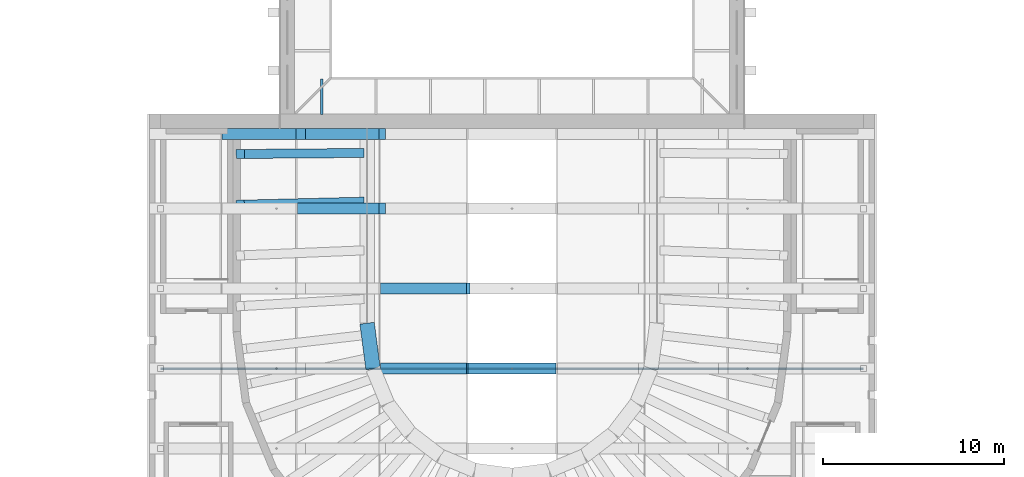
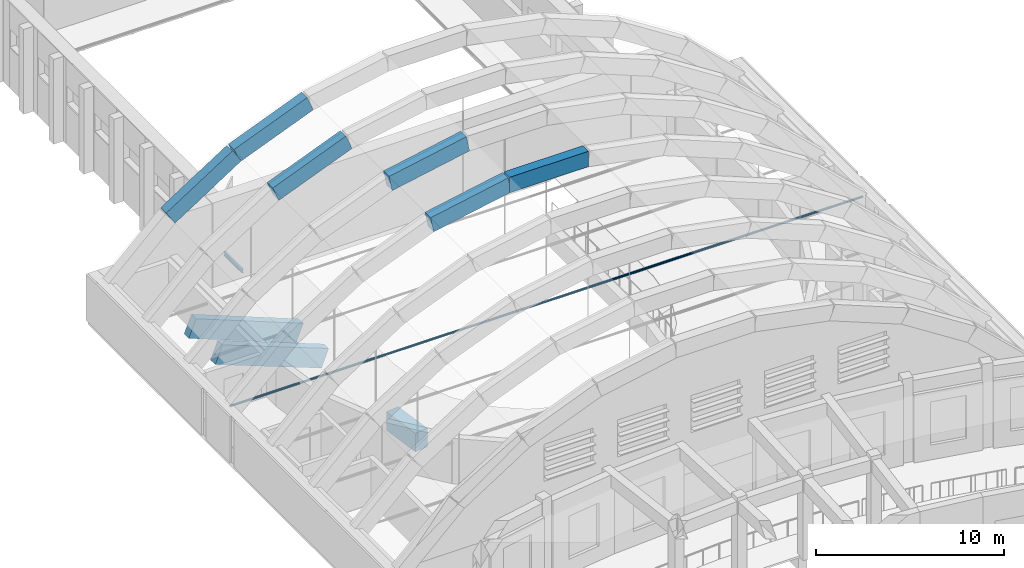
# One storey, part 28 of 94: 9 beams, 2 members.
"""IFC4 building model written with IfcOpenShell, lengths in metres."""

from ifc_helpers import new_model, si_unit, direction, frame, origin, origin_2d, place, context, subcontext, project, spatial, rectangle, hollow_circle, i_section, extrude, material, material_profile, profile_set, type_object, element, save


model = new_model("IFC4")

# Units and contexts
model_context = context("Model", 3, precision=1e-05, world=origin(), true_north=direction((0.0, 1.0)))
body_context = subcontext(model_context, "Body", "Model", "MODEL_VIEW")
ifc_project = project(units=[si_unit("LENGTHUNIT", "METRE"), si_unit("AREAUNIT", "SQUARE_METRE"), si_unit("VOLUMEUNIT", "CUBIC_METRE"), si_unit("PLANEANGLEUNIT", "RADIAN"), si_unit("MASSUNIT", "GRAM", prefix="KILO")], contexts=[model_context])

# Site, building, storey
site_placement = place(None, origin())
site = spatial("IfcSite", under=ifc_project, at=site_placement, CompositionType="ELEMENT")
building_placement = place(site_placement, origin())
building = spatial("IfcBuilding", under=site, at=building_placement, Name="Lunette Opera House", CompositionType="ELEMENT")
storey_placement = place(building_placement, frame((0.0, 0.0, 22.5)))
storey = spatial("IfcBuildingStorey", under=building, at=storey_placement, Name="L04", CompositionType="ELEMENT", Elevation=22.5)

# Beams
ifc_material_1 = material(Name="Concrete C40/50", Category="concrete")
ifc_material_profile_1 = material_profile(ifc_material_1, rectangle(XDim=0.60009765625, YDim=1.0, at=origin_2d()), Name="ARCH BEAM 600X1000")
ifc_profile_set_1 = profile_set([ifc_material_profile_1], Name="Concrete C40/50")
beam_type_1 = type_object("IfcBeamType", Name="ARCH BEAM 600X1000", PredefinedType="BEAM", material=ifc_profile_set_1)
beam_1_placement = place(storey_placement, frame((88.8310546875, 81.95703125, 10.346923828125), z_axis=(0.981908402453, 0.0, 0.189356513466), x_axis=(0.0, 1.0, 0.0)))
element("IfcBeam", 1, at=beam_1_placement, inside=storey, type_object=beam_type_1, Name="beam-AU-L04-EA5-4", PredefinedType="BEAM", context=body_context, shape_type="SweptSolid", body=[
    extrude(rectangle(XDim=0.60009765625, YDim=1.0, at=origin_2d()), origin(), (0.0, 0.0, 1.0), 4.83740234375),
])
beam_2_placement = place(storey_placement, frame((93.5810546875, 81.95703125, 11.262939453125), z_axis=(1.0, 0.0, 0.0), x_axis=(0.0, 1.0, 0.0)))
element("IfcBeam", 2, at=beam_2_placement, inside=storey, type_object=beam_type_1, Name="beam-AU-L04-EA5-5", PredefinedType="BEAM", context=body_context, shape_type="SweptSolid", body=[
    extrude(rectangle(XDim=0.60009765625, YDim=1.0, at=origin_2d()), origin(), (0.0, 0.0, 1.0), 4.837890625),
])
beam_3_placement = place(storey_placement, frame((88.8310546875, 86.37109375, 10.346923828125), z_axis=(0.981908402453, 0.0, 0.189356513466), x_axis=(0.0, 1.0, 0.0)))
element("IfcBeam", 3, at=beam_3_placement, inside=storey, type_object=beam_type_1, Name="beam-AU-L04-EA6-4", PredefinedType="BEAM", context=body_context, shape_type="SweptSolid", body=[
    extrude(rectangle(XDim=0.60009765625, YDim=1.0, at=origin_2d()), origin(), (0.0, 0.0, 1.0), 4.83740234375),
])
beam_4_placement = place(storey_placement, frame((84.340087890625, 90.785888671875, 8.548095703125), z_axis=(0.92830257193, 0.0, 0.371825678172), x_axis=(0.0, 1.0, 0.0)))
element("IfcBeam", 4, at=beam_4_placement, inside=storey, type_object=beam_type_1, Name="beam-AU-L04-EA7-3", PredefinedType="BEAM", context=body_context, shape_type="SweptSolid", body=[
    extrude(rectangle(XDim=0.60009765625, YDim=1.0, at=origin_2d()), origin(), (0.0, 0.0, 1.0), 4.837890625),
])
beam_5_placement = place(storey_placement, frame((80.27001953125, 94.89990234375, 5.931884765625), z_axis=(0.84120306647, 0.0, 0.54071933659), x_axis=(0.0, 1.0, 0.0)))
element("IfcBeam", 5, at=beam_5_placement, inside=storey, type_object=beam_type_1, Name="beam-AU-L04-EA8-2", PredefinedType="BEAM", context=body_context, shape_type="SweptSolid", body=[
    extrude(rectangle(XDim=0.60009765625, YDim=1.0, at=origin_2d()), origin(), (0.0, 0.0, 1.0), 4.83837890625),
])
beam_6_placement = place(storey_placement, frame((84.340087890625, 94.89990234375, 8.548095703125), z_axis=(0.92830257193, 0.0, 0.371825678172), x_axis=(0.0, 1.0, 0.0)))
element("IfcBeam", 6, at=beam_6_placement, inside=storey, type_object=beam_type_1, Name="beam-AU-L04-EA8-3", PredefinedType="BEAM", context=body_context, shape_type="SweptSolid", body=[
    extrude(rectangle(XDim=0.60009765625, YDim=1.0, at=origin_2d()), origin(), (0.0, 0.0, 1.0), 4.837890625),
])

# Members
ifc_material_2 = material(Name="Steel S355", Category="steel")
ifc_material_profile_2 = material_profile(ifc_material_2, i_section(OverallWidth=0.1201171875, OverallDepth=0.239990234375, WebThickness=0.006103515625, FlangeThickness=0.009765625, FilletRadius=0.014892578125, at=origin_2d()), Name="IPE 240")
ifc_profile_set_2 = profile_set([ifc_material_profile_2], Name="Steel S355")
member_type_1 = type_object("IfcMemberType", Name="BRACKET IPE 240", PredefinedType="MEMBER", material=ifc_profile_set_2)
member_1_placement = place(storey_placement, frame((85.5, 95.989990234375, -0.179931640625), z_axis=(0.0, 1.0, 0.0), x_axis=(-1.0, 0.0, 0.0)))
element("IfcMember", 7, at=member_1_placement, inside=storey, type_object=member_type_1, Name="mem-ST-L04-FG3-BKS855-959", PredefinedType="MEMBER", context=body_context, shape_type="SweptSolid", body=[
    extrude(i_section(OverallWidth=0.1201171875, OverallDepth=0.239990234375, WebThickness=0.006103515625, FlangeThickness=0.009765625, FilletRadius=0.014892578125, at=origin_2d()), origin(), (0.0, 0.0, 1.0), 1.949951171875),
])
ifc_material_3 = material(Name="Steel S355", Category="steel")
ifc_material_profile_3 = material_profile(ifc_material_3, hollow_circle(Radius=0.06982421875, WallThickness=0.008056640625, at=origin_2d()), Name="CHS 139.7X8")
ifc_profile_set_3 = profile_set([ifc_material_profile_3], Name="Steel S355")
member_type_2 = type_object("IfcMemberType", Name="CHS 139.7X8", PredefinedType="STRUT", material=ifc_profile_set_3)
member_2_placement = place(storey_placement, frame((76.60009765625, 81.95703125, 2.699951171875), z_axis=(1.0, 0.0, 0.0), x_axis=(0.0, 1.0, 0.0)))
element("IfcMember", 8, at=member_2_placement, inside=storey, type_object=member_type_2, Name="mem-AU-L04-TR5", PredefinedType="STRUT", context=body_context, shape_type="SweptSolid", body=[
    extrude(hollow_circle(Radius=0.06982421875, WallThickness=0.008056640625, at=origin_2d()), origin(), (0.0, 0.0, 1.0), 38.7998046875),
])

# Beams
ifc_material_4 = material(Name="Concrete C35/45", Category="concrete")
ifc_material_profile_4 = material_profile(ifc_material_4, rectangle(XDim=0.5, YDim=1.199951171875, at=origin_2d()), Name="RAKER BEAM 500X1200")
ifc_profile_set_4 = profile_set([ifc_material_profile_4], Name="Concrete C35/45")
beam_type_2 = type_object("IfcBeamType", Name="RAKER BEAM 500X1200", PredefinedType="BEAM", material=ifc_profile_set_4)
beam_7_placement = place(storey_placement, frame((81.0, 93.800048828125, -0.845947265625), z_axis=(0.928450027706, 0.007578484067, -0.371380011082), x_axis=(-0.008162239635, 0.999966688367, 0.0)))
element("IfcBeam", 9, at=beam_7_placement, inside=storey, type_object=beam_type_2, Name="beam-AU-L04-RKT3-01-1", PredefinedType="BEAM", context=body_context, shape_type="SweptSolid", body=[
    extrude(rectangle(XDim=0.5, YDim=1.199951171875, at=origin_2d()), origin(), (0.0, 0.0, 1.0), 7.11962890625),
])
beam_8_placement = place(storey_placement, frame((81.0, 91.0, -0.845947265625), z_axis=(0.928233174532, 0.022901560871, -0.371293269813), x_axis=(-0.024664701054, 0.999695779986, 0.0)))
element("IfcBeam", 10, at=beam_8_placement, inside=storey, type_object=beam_type_2, Name="beam-AU-L04-RKT3-01-2", PredefinedType="BEAM", context=body_context, shape_type="SweptSolid", body=[
    extrude(rectangle(XDim=0.5, YDim=1.199951171875, at=origin_2d()), origin(), (0.0, 0.0, 1.0), 7.12109375),
])
ifc_material_5 = material(Name="Concrete C40/50", Category="concrete")
ifc_material_profile_5 = material_profile(ifc_material_5, rectangle(XDim=0.800048828125, YDim=1.199951171875, at=origin_2d()), Name="TIER GIRDER 800X1200")
ifc_profile_set_5 = profile_set([ifc_material_profile_5], Name="Concrete C40/50")
beam_type_3 = type_object("IfcBeamType", Name="TIER GIRDER 800X1200", PredefinedType="BEAM", material=ifc_profile_set_5)
beam_9_placement = place(storey_placement, frame((88.0, 84.458984375, -3.60009765625), z_axis=(0.130561610971, -0.991440197763, 0.0), x_axis=(0.991440197763, 0.130561610971, 0.0)))
element("IfcBeam", 11, at=beam_9_placement, inside=storey, type_object=beam_type_3, Name="beam-AU-L04-TGL04-2", PredefinedType="BEAM", context=body_context, shape_type="SweptSolid", body=[
    extrude(rectangle(XDim=0.800048828125, YDim=1.199951171875, at=origin_2d()), origin(), (0.0, 0.0, 1.0), 2.53564453125),
])

save(model, "model.ifc")
